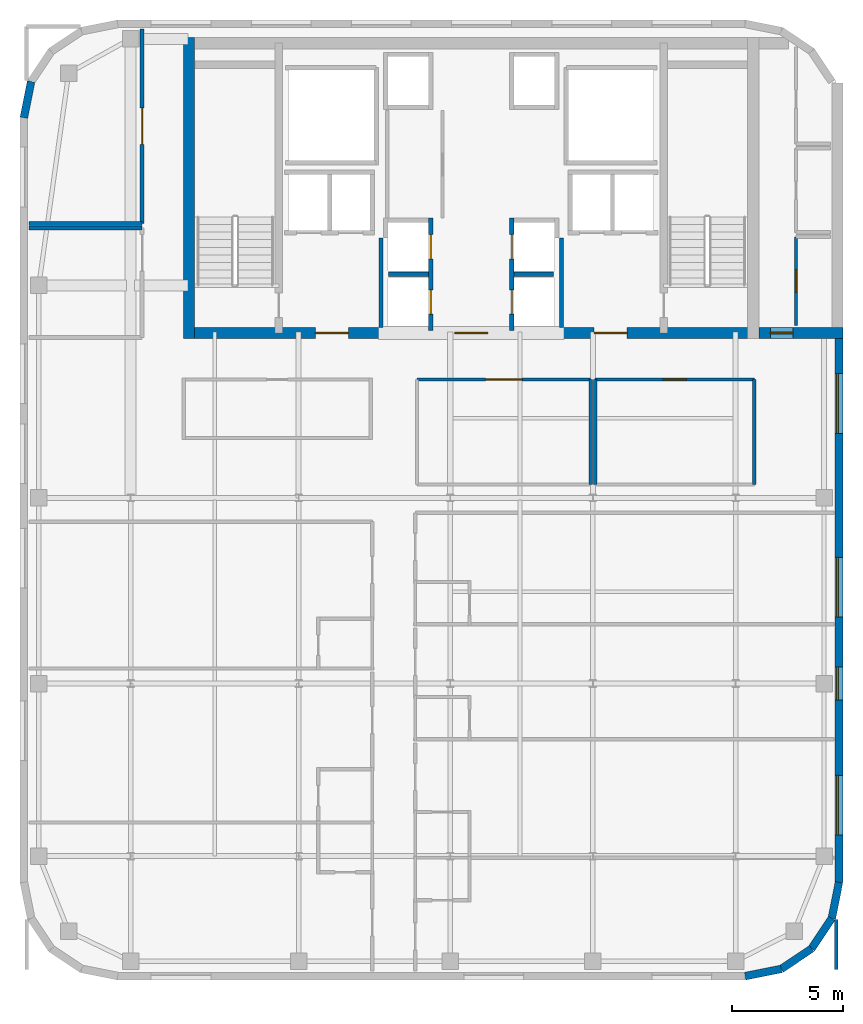
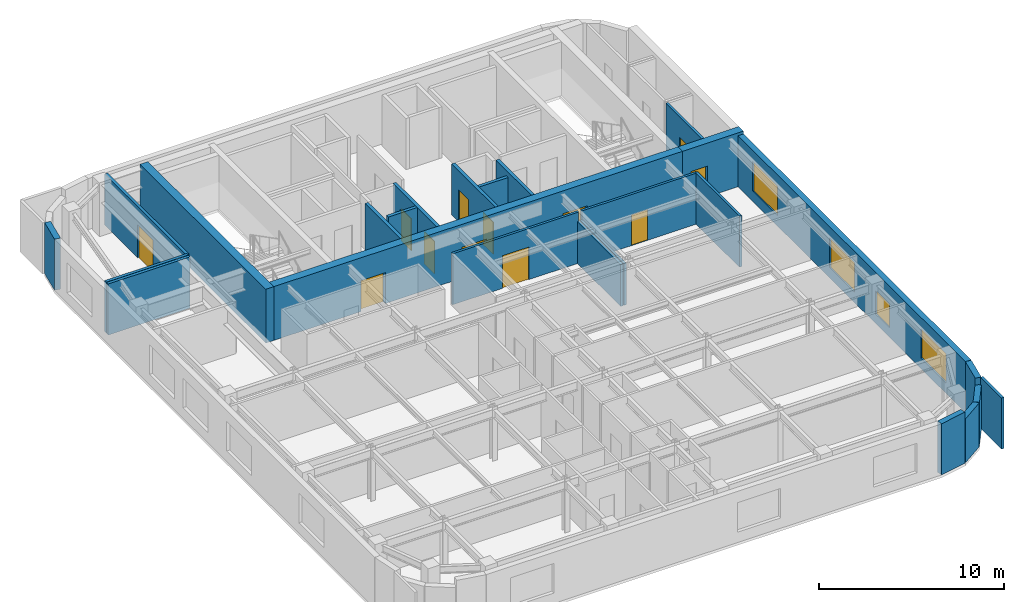
# One storey, part 5 of 8: 25 walls, 12 doors, 4 windows, 16 openings.
"""IFC4 building model written with IfcOpenShell, lengths in metres."""

from ifc_helpers import new_model, si_unit, direction, frame, frame_2d, origin, place, context, subcontext, project, spatial, rectangle, extrude, source, transform, mapped, material, layer, layer_set, type_object, type_shapes, element, fill, save


model = new_model("IFC4")

# Units and contexts
model_context = context("Model", 3, precision=1e-05, world=origin(), true_north=direction((0.0, 1.0)))
body_context = subcontext(model_context, "Body", "Model", "MODEL_VIEW")
ifc_project = project(units=[si_unit("LENGTHUNIT", "METRE"), si_unit("AREAUNIT", "SQUARE_METRE"), si_unit("VOLUMEUNIT", "CUBIC_METRE"), si_unit("PLANEANGLEUNIT", "RADIAN"), si_unit("MASSUNIT", "GRAM", prefix="KILO")], contexts=[model_context])

# Site, building, storey
site_placement = place(None, origin())
site = spatial("IfcSite", under=ifc_project, at=site_placement, CompositionType="ELEMENT")
building_placement = place(site_placement, origin())
building = spatial("IfcBuilding", under=site, at=building_placement, Name="Tolvann Quenvar Hotel", CompositionType="ELEMENT")
storey_placement = place(building_placement, frame((0.0, 0.0, 231.0)))
storey = spatial("IfcBuildingStorey", under=building, at=storey_placement, Name="L61", CompositionType="ELEMENT", Elevation=231.0)

# Wall, openings, doors
ifc_material_1 = material(Name="Concrete N50 (50 MPa)", Category="concrete")
ifc_layer_1 = layer(ifc_material_1, 0.5)
ifc_layer_set_1 = layer_set([ifc_layer_1], Name="Concrete N50 (50 MPa)")
wall_type_1 = type_object("IfcWallType", Name="WALL_CORE_500", PredefinedType="SHEAR", material=ifc_layer_set_1)
wall_1_placement = place(storey_placement, frame((10.0, 31.85009765625, 0.0), z_axis=(0.0, 0.0, 1.0), x_axis=(1.0, 0.0, 0.0)))
wall_1 = element("IfcWall", 1, at=wall_1_placement, inside=storey, type_object=wall_type_1, Name="Rear Core S Shear Wall (L61)", PredefinedType="SHEAR", context=body_context, shape_type="SweptSolid", body=[
    extrude(rectangle(XDim=26.0, YDim=0.5, at=frame_2d((13.0, 0.0))), origin(), (0.0, 0.0, 1.0), 3.550048828125),
])
opening_1_placement = place(wall_1_placement, frame((7.449951171875, 0.0, 0.0), z_axis=(0.0, 0.0, 1.0), x_axis=(-1.0, 0.0, 0.0)))
opening_1 = element("IfcOpeningElement", 2, at=opening_1_placement, cuts=wall_1, Name="Opening FD-60D", PredefinedType="OPENING", context=body_context, shape_type="SweptSolid", body=[
    extrude(rectangle(XDim=1.5, YDim=2.0400390625, at=frame_2d((0.75, 1.02001953125))), frame((0.0, 0.260009765625, 0.0), z_axis=(0.0, -1.0, 0.0), x_axis=(1.0, 0.0, 0.0)), (0.0, 0.0, 1.0), 0.52001953125),
])
opening_2_placement = place(wall_1_placement, frame((13.75, 0.0, 0.0), z_axis=(0.0, 0.0, 1.0), x_axis=(-1.0, 0.0, 0.0)))
opening_2 = element("IfcOpeningElement", 3, at=opening_2_placement, cuts=wall_1, Name="Opening FD-60D", PredefinedType="OPENING", context=body_context, shape_type="SweptSolid", body=[
    extrude(rectangle(XDim=1.5, YDim=2.0400390625, at=frame_2d((0.75, 1.02001953125))), frame((0.0, 0.260009765625, 0.0), z_axis=(0.0, -1.0, 0.0), x_axis=(1.0, 0.0, 0.0)), (0.0, 0.0, 1.0), 0.52001953125),
])
opening_3_placement = place(wall_1_placement, frame((20.050048828125, 0.0, 0.0), z_axis=(0.0, 0.0, 1.0), x_axis=(-1.0, 0.0, 0.0)))
opening_3 = element("IfcOpeningElement", 4, at=opening_3_placement, cuts=wall_1, Name="Opening FD-60D", PredefinedType="OPENING", context=body_context, shape_type="SweptSolid", body=[
    extrude(rectangle(XDim=1.5, YDim=2.0400390625, at=frame_2d((0.75, 1.02001953125))), frame((0.0, 0.260009765625, 0.0), z_axis=(0.0, -1.0, 0.0), x_axis=(1.0, 0.0, 0.0)), (0.0, 0.0, 1.0), 0.52001953125),
])
ifc_material_2 = material(Name="Solid-core American oak acoustic fire door leaf in steel frame", Category="steel")
door_type_1 = type_object("IfcDoorType", Name="DOOR_FIRE_LOBBY_1500", OperationType="NOTDEFINED", PredefinedType="DOOR", material=ifc_material_2)
shared_shape_1 = source(origin(), body_context, "Body", "SweptSolid", [
    extrude(rectangle(XDim=1.5, YDim=2.0400390625, at=frame_2d((0.75, 1.02001953125))), frame((0.0, 0.02490234375, 0.0), z_axis=(0.0, -1.0, 0.0), x_axis=(1.0, 0.0, 0.0)), (0.0, 0.0, 1.0), 0.050048828125),
])
type_shapes(door_type_1, [shared_shape_1])
door_1_placement = place(opening_1_placement, origin())
door_1 = element("IfcDoor", 5, at=door_1_placement, inside=storey, type_object=door_type_1, Name="Core Lobby Fire Door FFW (L61)", OperationType="DOUBLE_DOOR_SINGLE_SWING", OverallHeight=2.0400390625, OverallWidth=1.5, PredefinedType="DOOR", context=body_context, shape_type="MappedRepresentation", body=[
    mapped(shared_shape_1, transform((0.0, 0.0, 0.0), x_axis=(1.0, 0.0, 0.0), y_axis=(0.0, 1.0, 0.0), z_axis=(0.0, 0.0, 1.0), scale=1.0)),
])
fill(opening_1, door_1)
door_2_placement = place(opening_2_placement, origin())
door_2 = element("IfcDoor", 6, at=door_2_placement, inside=storey, type_object=door_type_1, Name="Core Lobby Fire Door CLOB (L61)", OperationType="DOUBLE_DOOR_SINGLE_SWING", OverallHeight=2.0400390625, OverallWidth=1.5, PredefinedType="DOOR", context=body_context, shape_type="MappedRepresentation", body=[
    mapped(shared_shape_1, transform((0.0, 0.0, 0.0), x_axis=(1.0, 0.0, 0.0), y_axis=(0.0, 1.0, 0.0), z_axis=(0.0, 0.0, 1.0), scale=1.0)),
])
fill(opening_2, door_2)
door_3_placement = place(opening_3_placement, origin())
door_3 = element("IfcDoor", 7, at=door_3_placement, inside=storey, type_object=door_type_1, Name="Core Lobby Fire Door FFE (L61)", OperationType="DOUBLE_DOOR_SINGLE_SWING", OverallHeight=2.0400390625, OverallWidth=1.5, PredefinedType="DOOR", context=body_context, shape_type="MappedRepresentation", body=[
    mapped(shared_shape_1, transform((0.0, 0.0, 0.0), x_axis=(1.0, 0.0, 0.0), y_axis=(0.0, 1.0, 0.0), z_axis=(0.0, 0.0, 1.0), scale=1.0)),
])
fill(opening_3, door_3)

# Wall
wall_2_placement = place(storey_placement, frame((10.25, 31.60009765625, 0.0), z_axis=(0.0, 0.0, 1.0), x_axis=(0.0, 1.0, 0.0)))
element("IfcWall", 8, at=wall_2_placement, inside=storey, type_object=wall_type_1, Name="Rear Core W Shear Wall (L61)", PredefinedType="SHEAR", context=body_context, shape_type="SweptSolid", body=[
    extrude(rectangle(XDim=13.599853515625, YDim=0.5, at=frame_2d((6.7998046875, 0.0))), origin(), (0.0, 0.0, 1.0), 3.550048828125),
])

# Wall, opening, door
wall_3_placement = place(storey_placement, frame((36.0, 31.85009765625, 0.0), z_axis=(0.0, 0.0, 1.0), x_axis=(1.0, 0.0, 0.0)))
wall_3 = element("IfcWall", 9, at=wall_3_placement, inside=storey, type_object=wall_type_1, Name="Core East Annex Shear Wall ANN-S (L61)", PredefinedType="SHEAR", context=body_context, shape_type="SweptSolid", body=[
    extrude(rectangle(XDim=3.800048828125, YDim=0.5, at=frame_2d((1.89990234375, 0.0))), origin(), (0.0, 0.0, 1.0), 3.550048828125),
])
opening_4_placement = place(wall_3_placement, frame((1.5400390625, 0.0, 0.0), z_axis=(0.0, 0.0, 1.0), x_axis=(-1.0, 0.0, 0.0)))
opening_4 = element("IfcOpeningElement", 10, at=opening_4_placement, cuts=wall_3, Name="Opening HD-01", PredefinedType="OPENING", context=body_context, shape_type="SweptSolid", body=[
    extrude(rectangle(XDim=1.02001953125, YDim=2.030029296875, at=frame_2d((0.510009765625, 1.01513671875))), frame((0.0, 0.260009765625, 0.0), z_axis=(0.0, -1.0, 0.0), x_axis=(1.0, 0.0, 0.0)), (0.0, 0.0, 1.0), 0.52001953125),
])
ifc_material_3 = material(Name="Pressed galvanised steel fire-rated door set", Category="steel")
door_type_2 = type_object("IfcDoorType", Name="DOOR_BOH_1020", OperationType="NOTDEFINED", PredefinedType="DOOR", material=ifc_material_3)
shared_shape_2 = source(origin(), body_context, "Body", "SweptSolid", [
    extrude(rectangle(XDim=1.02001953125, YDim=2.030029296875, at=frame_2d((0.510009765625, 1.01513671875))), frame((0.0, 0.02490234375, 0.0), z_axis=(0.0, -1.0, 0.0), x_axis=(1.0, 0.0, 0.0)), (0.0, 0.0, 1.0), 0.050048828125),
])
type_shapes(door_type_2, [shared_shape_2])
door_4_placement = place(opening_4_placement, origin())
door_4 = element("IfcDoor", 11, at=door_4_placement, inside=storey, type_object=door_type_2, Name="Housekeeping Annex Fire Door (L61)", OperationType="SINGLE_SWING_RIGHT", OverallHeight=2.030029296875, OverallWidth=1.02001953125, PredefinedType="DOOR", context=body_context, shape_type="MappedRepresentation", body=[
    mapped(shared_shape_2, transform((0.0, 0.0, 0.0), x_axis=(1.0, 0.0, 0.0), y_axis=(0.0, 1.0, 0.0), z_axis=(0.0, 0.0, 1.0), scale=1.0)),
])
fill(opening_4, door_4)

# Walls
ifc_material_4 = material(Name="Kiln-fired red and buff architectural clay brickwork and terracotta masonry", Category="masonry")
ifc_layer_2 = layer(ifc_material_4, 0.35009765625)
ifc_layer_set_2 = layer_set([ifc_layer_2], Name="Kiln-fired red and buff architectural clay brickwork and terracotta masonry")
wall_type_2 = type_object("IfcWallType", Name="WALL_EXT_BRICK_350", PredefinedType="SOLIDWALL", material=ifc_layer_set_2)
wall_4_placement = place(storey_placement, frame((35.3828125, 2.77490234375, 0.0), z_axis=(0.0, 0.0, 1.0), x_axis=(0.980788844421, 0.195072403631, 0.0)))
element("IfcWall", 12, at=wall_4_placement, inside=storey, type_object=wall_type_2, Name="Exterior Chicago Brick Wall L61-E05", PredefinedType="SOLIDWALL", context=body_context, shape_type="SweptSolid", body=[
    extrude(rectangle(XDim=1.66455078125, YDim=0.35009765625, at=frame_2d((0.832275390625, 0.0))), origin(), (0.0, 0.0, 1.0), 3.3701171875),
])
for number, where, z_axis, x_axis, name in (
    (13, (37.015380859375, 3.099609375, 0.0), (0.0, 0.0, 1.0), (0.831434158098, 0.555623290322, 0.0), "Exterior Chicago Brick Wall L61-E06"),
    (14, (38.385009765625, 4.014892578125, 0.0), (0.0, 0.0, 1.0), (0.555623290322, 0.831434158098, 0.0), "Exterior Chicago Brick Wall L61-E07"),
):
    element("IfcWall", number, at=place(storey_placement, frame(where, z_axis=z_axis, x_axis=x_axis)), inside=storey, type_object=wall_type_2, Name=name, PredefinedType="SOLIDWALL", context=body_context, shape_type="SweptSolid", body=[
        extrude(rectangle(XDim=1.647216796875, YDim=0.35009765625, at=frame_2d((0.82373046875, 0.0))), origin(), (0.0, 0.0, 1.0), 2.89990234375),
    ])
wall_5_placement = place(storey_placement, frame((39.30029296875, 5.384521484375, 0.0), z_axis=(0.0, 0.0, 1.0), x_axis=(0.195072403631, 0.980788844421, 0.0)))
element("IfcWall", 15, at=wall_5_placement, inside=storey, type_object=wall_type_2, Name="Exterior Chicago Brick Wall L61-E08", PredefinedType="SOLIDWALL", context=body_context, shape_type="SweptSolid", body=[
    extrude(rectangle(XDim=1.66455078125, YDim=0.35009765625, at=frame_2d((0.832275390625, 0.0))), origin(), (0.0, 0.0, 1.0), 3.3701171875),
])

# Wall, openings, windows
wall_6_placement = place(storey_placement, frame((39.625, 7.01708984375, 0.0), z_axis=(0.0, 0.0, 1.0), x_axis=(0.0, 1.0, 0.0)))
wall_6 = element("IfcWall", 16, at=wall_6_placement, inside=storey, type_object=wall_type_2, Name="Exterior Chicago Brick Wall L61-E09", PredefinedType="SOLIDWALL", context=body_context, shape_type="SweptSolid", body=[
    extrude(rectangle(XDim=24.578857421875, YDim=0.35009765625, at=frame_2d((12.28955078125, 0.0))), origin(), (0.0, 0.0, 1.0), 3.3701171875),
])
opening_5_placement = place(wall_6_placement, frame((2.137939453125, 0.0, 0.679931640625)))
opening_5 = element("IfcOpeningElement", 17, at=opening_5_placement, cuts=wall_6, Name="Opening W-04", PredefinedType="OPENING", context=body_context, shape_type="SweptSolid", body=[
    extrude(rectangle(XDim=2.699951171875, YDim=1.949951171875, at=frame_2d((1.35009765625, 0.97509765625))), frame((0.0, 0.18505859375, 0.0), z_axis=(0.0, -1.0, 0.0), x_axis=(1.0, 0.0, 0.0)), (0.0, 0.0, 1.0), 0.3701171875),
])
opening_6_placement = place(wall_6_placement, frame((11.989013671875, 0.0, 0.679931640625)))
opening_6 = element("IfcOpeningElement", 18, at=opening_6_placement, cuts=wall_6, Name="Opening W-04", PredefinedType="OPENING", context=body_context, shape_type="SweptSolid", body=[
    extrude(rectangle(XDim=2.699951171875, YDim=1.949951171875, at=frame_2d((1.35009765625, 0.97509765625))), frame((0.0, 0.18505859375, 0.0), z_axis=(0.0, -1.0, 0.0), x_axis=(1.0, 0.0, 0.0)), (0.0, 0.0, 1.0), 0.3701171875),
])
opening_7_placement = place(wall_6_placement, frame((20.291015625, 0.0, 0.679931640625)))
opening_7 = element("IfcOpeningElement", 19, at=opening_7_placement, cuts=wall_6, Name="Opening W-04", PredefinedType="OPENING", context=body_context, shape_type="SweptSolid", body=[
    extrude(rectangle(XDim=2.699951171875, YDim=1.949951171875, at=frame_2d((1.35009765625, 0.97509765625))), frame((0.0, 0.18505859375, 0.0), z_axis=(0.0, -1.0, 0.0), x_axis=(1.0, 0.0, 0.0)), (0.0, 0.0, 1.0), 0.3701171875),
])
opening_8_placement = place(wall_6_placement, frame((8.23291015625, 0.0, 0.6201171875)))
opening_8 = element("IfcOpeningElement", 20, at=opening_8_placement, cuts=wall_6, Name="Opening W-08", PredefinedType="OPENING", context=body_context, shape_type="SweptSolid", body=[
    extrude(rectangle(XDim=1.5, YDim=1.550048828125, at=frame_2d((0.75, 0.77490234375))), frame((0.0, 0.18505859375, 0.0), z_axis=(0.0, -1.0, 0.0), x_axis=(1.0, 0.0, 0.0)), (0.0, 0.0, 1.0), 0.3701171875),
])
ifc_material_5 = material(Name="Thermally broken bronze-anodised aluminium frame with double low-E glazing", Category="aluminium")
window_type_1 = type_object("IfcWindowType", Name="WIN_COR_1500x2050", PartitioningType="SINGLE_PANEL", PredefinedType="WINDOW", material=ifc_material_5)
shared_shape_3 = source(origin(), body_context, "Body", "SweptSolid", [
    extrude(rectangle(XDim=1.5, YDim=1.550048828125, at=frame_2d((0.75, 0.77490234375))), frame((0.0, 0.090087890625, 0.0), z_axis=(0.0, -1.0, 0.0), x_axis=(1.0, 0.0, 0.0)), (0.0, 0.0, 1.0), 0.06005859375),
])
type_shapes(window_type_1, [shared_shape_3])
window_1_placement = place(opening_8_placement, origin())
window_1 = element("IfcWindow", 21, at=window_1_placement, inside=storey, type_object=window_type_1, Name="Chicago Window W-08 (EW-L61-E09-WD04)", OverallHeight=1.550048828125, OverallWidth=1.5, PartitioningType="SINGLE_PANEL", PredefinedType="WINDOW", context=body_context, shape_type="MappedRepresentation", body=[
    mapped(shared_shape_3, transform((0.0, 0.0, 0.0), x_axis=(1.0, 0.0, 0.0), y_axis=(0.0, 1.0, 0.0), z_axis=(0.0, 0.0, 1.0), scale=1.0)),
])
fill(opening_8, window_1)
window_type_2 = type_object("IfcWindowType", Name="WIN_STE_2700x2150", PartitioningType="TRIPLE_PANEL_HORIZONTAL", PredefinedType="WINDOW", material=ifc_material_5)
shared_shape_4 = source(origin(), body_context, "Body", "SweptSolid", [
    extrude(rectangle(XDim=2.699951171875, YDim=1.949951171875, at=frame_2d((1.35009765625, 0.97509765625))), frame((0.0, 0.090087890625, 0.0), z_axis=(0.0, -1.0, 0.0), x_axis=(1.0, 0.0, 0.0)), (0.0, 0.0, 1.0), 0.06005859375),
])
type_shapes(window_type_2, [shared_shape_4])
window_2_placement = place(opening_5_placement, origin())
window_2 = element("IfcWindow", 22, at=window_2_placement, inside=storey, type_object=window_type_2, Name="Chicago Window W-04 (EW-L61-E09-W01)", OverallHeight=1.949951171875, OverallWidth=2.699951171875, PartitioningType="TRIPLE_PANEL_HORIZONTAL", PredefinedType="WINDOW", context=body_context, shape_type="MappedRepresentation", body=[
    mapped(shared_shape_4, transform((0.0, 0.0, 0.0), x_axis=(1.0, 0.0, 0.0), y_axis=(0.0, 1.0, 0.0), z_axis=(0.0, 0.0, 1.0), scale=1.0)),
])
fill(opening_5, window_2)
window_3_placement = place(opening_6_placement, origin())
window_3 = element("IfcWindow", 23, at=window_3_placement, inside=storey, type_object=window_type_2, Name="Chicago Window W-04 (EW-L61-E09-W02)", OverallHeight=1.949951171875, OverallWidth=2.699951171875, PartitioningType="TRIPLE_PANEL_HORIZONTAL", PredefinedType="WINDOW", context=body_context, shape_type="MappedRepresentation", body=[
    mapped(shared_shape_4, transform((0.0, 0.0, 0.0), x_axis=(1.0, 0.0, 0.0), y_axis=(0.0, 1.0, 0.0), z_axis=(0.0, 0.0, 1.0), scale=1.0)),
])
fill(opening_6, window_3)
window_4_placement = place(opening_7_placement, origin())
window_4 = element("IfcWindow", 24, at=window_4_placement, inside=storey, type_object=window_type_2, Name="Chicago Window W-04 (EW-L61-E09-W03)", OverallHeight=1.949951171875, OverallWidth=2.699951171875, PartitioningType="TRIPLE_PANEL_HORIZONTAL", PredefinedType="WINDOW", context=body_context, shape_type="MappedRepresentation", body=[
    mapped(shared_shape_4, transform((0.0, 0.0, 0.0), x_axis=(1.0, 0.0, 0.0), y_axis=(0.0, 1.0, 0.0), z_axis=(0.0, 0.0, 1.0), scale=1.0)),
])
fill(opening_7, window_4)

# Walls
wall_7_placement = place(storey_placement, frame((3.099609375, 43.215576171875, 0.0), z_axis=(0.0, 0.0, 1.0), x_axis=(-0.195044345786, -0.980794424524, 0.0)))
element("IfcWall", 25, at=wall_7_placement, inside=storey, type_object=wall_type_2, Name="Exterior Chicago Brick Wall L61-E18", PredefinedType="SOLIDWALL", context=body_context, shape_type="SweptSolid", body=[
    extrude(rectangle(XDim=1.664794921875, YDim=0.35009765625, at=frame_2d((0.83251953125, 0.0))), origin(), (0.0, 0.0, 1.0), 3.3701171875),
])
ifc_material_6 = material(Name="Acoustic twin-stud fire-rated gypsum plasterboard partition")
ifc_layer_3 = layer(ifc_material_6, 0.179931640625)
ifc_layer_set_3 = layer_set([ifc_layer_3], Name="Acoustic twin-stud fire-rated gypsum plasterboard partition")
wall_type_3 = type_object("IfcWallType", Name="WALL_PART_ACOUSTIC_180", PredefinedType="PARTITIONING", material=ifc_layer_set_3)
for number, where, z_axis, x_axis, name in (
    (26, (3.0048828125, 36.60009765625, 0.0), (0.0, 0.0, 1.0), (1.0, 0.0, 0.0), "Interior Partition PT-SPC-L61-SAL-N"),
    (27, (3.0048828125, 36.800048828125, 0.0), (0.0, 0.0, 1.0), (1.0, 0.0, 0.0), "Interior Partition PT-SPC-L61-STD-S"),
):
    element("IfcWall", number, at=place(storey_placement, frame(where, z_axis=z_axis, x_axis=x_axis)), inside=storey, type_object=wall_type_3, Name=name, PredefinedType="PARTITIONING", context=body_context, shape_type="SweptSolid", body=[
        extrude(rectangle(XDim=5.115234375, YDim=0.179931640625, at=frame_2d((2.5576171875, 0.0))), origin(), (0.0, 0.0, 1.0), 3.3701171875),
    ])

# Wall, opening, door
wall_8_placement = place(storey_placement, frame((8.1201171875, 36.800048828125, 0.0), z_axis=(0.0, 0.0, 1.0), x_axis=(0.0, 1.0, 0.0)))
wall_8 = element("IfcWall", 28, at=wall_8_placement, inside=storey, type_object=wall_type_3, Name="Interior Partition PT-SPC-L61-STD-E", PredefinedType="PARTITIONING", context=body_context, shape_type="SweptSolid", body=[
    extrude(rectangle(XDim=8.794921875, YDim=0.179931640625, at=frame_2d((4.3974609375, 0.0))), origin(), (0.0, 0.0, 1.0), 3.3701171875),
])
opening_9_placement = place(wall_8_placement, frame((3.572509765625, 0.0, 0.0)))
opening_9 = element("IfcOpeningElement", 29, at=opening_9_placement, cuts=wall_8, Name="Opening AD-01", PredefinedType="OPENING", context=body_context, shape_type="SweptSolid", body=[
    extrude(rectangle(XDim=1.64990234375, YDim=2.14990234375, at=frame_2d((0.824951171875, 1.074951171875))), frame((0.0, 0.10009765625, 0.0), z_axis=(0.0, -1.0, 0.0), x_axis=(1.0, 0.0, 0.0)), (0.0, 0.0, 1.0), 0.199951171875),
])
door_type_3 = type_object("IfcDoorType", Name="DOOR_SALON_1650", OperationType="NOTDEFINED", PredefinedType="DOOR", material=ifc_material_2)
shared_shape_5 = source(origin(), body_context, "Body", "SweptSolid", [
    extrude(rectangle(XDim=1.64990234375, YDim=2.14990234375, at=frame_2d((0.824951171875, 1.074951171875))), frame((0.0, 0.02490234375, 0.0), z_axis=(0.0, -1.0, 0.0), x_axis=(1.0, 0.0, 0.0)), (0.0, 0.0, 1.0), 0.050048828125),
])
type_shapes(door_type_3, [shared_shape_5])
door_5_placement = place(opening_9_placement, origin())
door_5 = element("IfcDoor", 30, at=door_5_placement, inside=storey, type_object=door_type_3, Name="Interior Door DOOR-SPC-L61-STD", OperationType="DOUBLE_DOOR_SINGLE_SWING", OverallHeight=2.14990234375, OverallWidth=1.64990234375, PredefinedType="DOOR", context=body_context, shape_type="MappedRepresentation", body=[
    mapped(shared_shape_5, transform((0.0, 0.0, 0.0), x_axis=(1.0, 0.0, 0.0), y_axis=(0.0, 1.0, 0.0), z_axis=(0.0, 0.0, 1.0), scale=1.0)),
])
fill(opening_9, door_5)

ifc_layer_4 = layer(ifc_material_6, 0.14990234375)
ifc_layer_set_4 = layer_set([ifc_layer_4], Name="Acoustic twin-stud fire-rated gypsum plasterboard partition")
wall_type_4 = type_object("IfcWallType", Name="WALL_PART_SUITE_150", PredefinedType="PARTITIONING", material=ifc_layer_set_4)
wall_9_placement = place(storey_placement, frame((37.679931640625, 32.199951171875, 0.0), z_axis=(0.0, 0.0, 1.0), x_axis=(0.0, 1.0, 0.0)))
wall_9 = element("IfcWall", 31, at=wall_9_placement, inside=storey, type_object=wall_type_4, Name="Interior Partition PT-SPC-L61-RECPL-1-W", PredefinedType="PARTITIONING", context=body_context, shape_type="SweptSolid", body=[
    extrude(rectangle(XDim=4.0, YDim=0.14990234375, at=frame_2d((2.0, 0.0))), origin(), (0.0, 0.0, 1.0), 3.3701171875),
])
opening_10_placement = place(wall_9_placement, frame((1.489990234375, 0.0, 0.0)))
opening_10 = element("IfcOpeningElement", 32, at=opening_10_placement, cuts=wall_9, Name="Opening HD-01", PredefinedType="OPENING", context=body_context, shape_type="SweptSolid", body=[
    extrude(rectangle(XDim=1.02001953125, YDim=2.030029296875, at=frame_2d((0.510009765625, 1.01513671875))), frame((0.0, 0.0849609375, 0.0), z_axis=(0.0, -1.0, 0.0), x_axis=(1.0, 0.0, 0.0)), (0.0, 0.0, 1.0), 0.169921875),
])
door_6_placement = place(opening_10_placement, origin())
door_6 = element("IfcDoor", 33, at=door_6_placement, inside=storey, type_object=door_type_2, Name="Interior Door DOOR-SPC-L61-RECPL-1", OperationType="SINGLE_SWING_LEFT", OverallHeight=2.030029296875, OverallWidth=1.02001953125, PredefinedType="DOOR", context=body_context, shape_type="MappedRepresentation", body=[
    mapped(shared_shape_2, transform((0.0, 0.0, 0.0), x_axis=(1.0, 0.0, 0.0), y_axis=(0.0, 1.0, 0.0), z_axis=(0.0, 0.0, 1.0), scale=1.0)),
])
fill(opening_10, door_6)

# Wall
wall_10_placement = place(storey_placement, frame((39.5, 3.080078125, 0.0), z_axis=(0.0, 0.0, 1.0), x_axis=(0.0, 1.0, 0.0)))
element("IfcWall", 34, at=wall_10_placement, inside=storey, type_object=wall_type_4, Name="Interior Partition PT-SPC-L61-RM-EO01-E2", PredefinedType="PARTITIONING", context=body_context, shape_type="SweptSolid", body=[
    extrude(rectangle(XDim=2.264892578125, YDim=0.14990234375, at=frame_2d((1.13232421875, 0.0))), origin(), (0.0, 0.0, 1.0), 3.3701171875),
])

# Wall, opening, door
wall_11_placement = place(storey_placement, frame((20.550048828125, 29.75, 0.0), z_axis=(0.0, 0.0, 1.0), x_axis=(1.0, 0.0, 0.0)))
wall_11 = element("IfcWall", 35, at=wall_11_placement, inside=storey, type_object=wall_type_4, Name="Interior Partition PT-SPC-L61-LOUNGE-N", PredefinedType="PARTITIONING", context=body_context, shape_type="SweptSolid", body=[
    extrude(rectangle(XDim=7.849853515625, YDim=0.14990234375, at=frame_2d((3.9248046875, 0.0))), origin(), (0.0, 0.0, 1.0), 3.3701171875),
])
opening_11_placement = place(wall_11_placement, frame((3.10009765625, 0.0, 0.0)))
opening_11 = element("IfcOpeningElement", 36, at=opening_11_placement, cuts=wall_11, Name="Opening AD-01", PredefinedType="OPENING", context=body_context, shape_type="SweptSolid", body=[
    extrude(rectangle(XDim=1.64990234375, YDim=2.14990234375, at=frame_2d((0.824951171875, 1.074951171875))), frame((0.0, 0.0849609375, 0.0), z_axis=(0.0, -1.0, 0.0), x_axis=(1.0, 0.0, 0.0)), (0.0, 0.0, 1.0), 0.169921875),
])
door_7_placement = place(opening_11_placement, origin())
door_7 = element("IfcDoor", 37, at=door_7_placement, inside=storey, type_object=door_type_3, Name="Interior Door DOOR-SPC-L61-LOUNGE", OperationType="DOUBLE_DOOR_SINGLE_SWING", OverallHeight=2.14990234375, OverallWidth=1.64990234375, PredefinedType="DOOR", context=body_context, shape_type="MappedRepresentation", body=[
    mapped(shared_shape_5, transform((0.0, 0.0, 0.0), x_axis=(1.0, 0.0, 0.0), y_axis=(0.0, 1.0, 0.0), z_axis=(0.0, 0.0, 1.0), scale=1.0)),
])
fill(opening_11, door_7)

# Wall
wall_12_placement = place(storey_placement, frame((28.39990234375, 25.0, 0.0), z_axis=(0.0, 0.0, 1.0), x_axis=(0.0, 1.0, 0.0)))
element("IfcWall", 38, at=wall_12_placement, inside=storey, type_object=wall_type_4, Name="Interior Partition PT-SPC-L61-LOUNGE-E", PredefinedType="PARTITIONING", context=body_context, shape_type="SweptSolid", body=[
    extrude(rectangle(XDim=4.75, YDim=0.14990234375, at=frame_2d((2.375, 0.0))), origin(), (0.0, 0.0, 1.0), 2.758056640625),
])

# Wall, opening, door
wall_13_placement = place(storey_placement, frame((28.60009765625, 29.75, 0.0), z_axis=(0.0, 0.0, 1.0), x_axis=(1.0, 0.0, 0.0)))
wall_13 = element("IfcWall", 39, at=wall_13_placement, inside=storey, type_object=wall_type_4, Name="Interior Partition PT-SPC-L61-PNTR-N", PredefinedType="PARTITIONING", context=body_context, shape_type="SweptSolid", body=[
    extrude(rectangle(XDim=7.199951171875, YDim=0.14990234375, at=frame_2d((3.60009765625, 0.0))), origin(), (0.0, 0.0, 1.0), 3.3701171875),
])
opening_12_placement = place(wall_13_placement, frame((3.090087890625, 0.0, 0.0)))
opening_12 = element("IfcOpeningElement", 40, at=opening_12_placement, cuts=wall_13, Name="Opening HD-01", PredefinedType="OPENING", context=body_context, shape_type="SweptSolid", body=[
    extrude(rectangle(XDim=1.02001953125, YDim=2.030029296875, at=frame_2d((0.510009765625, 1.01513671875))), frame((0.0, 0.0849609375, 0.0), z_axis=(0.0, -1.0, 0.0), x_axis=(1.0, 0.0, 0.0)), (0.0, 0.0, 1.0), 0.169921875),
])
door_8_placement = place(opening_12_placement, origin())
door_8 = element("IfcDoor", 41, at=door_8_placement, inside=storey, type_object=door_type_2, Name="Interior Door DOOR-SPC-L61-PNTR", OperationType="SINGLE_SWING_RIGHT", OverallHeight=2.030029296875, OverallWidth=1.02001953125, PredefinedType="DOOR", context=body_context, shape_type="MappedRepresentation", body=[
    mapped(shared_shape_2, transform((0.0, 0.0, 0.0), x_axis=(1.0, 0.0, 0.0), y_axis=(0.0, 1.0, 0.0), z_axis=(0.0, 0.0, 1.0), scale=1.0)),
])
fill(opening_12, door_8)

# Walls
wall_14_placement = place(storey_placement, frame((28.60009765625, 25.0, 0.0), z_axis=(0.0, 0.0, 1.0), x_axis=(0.0, 1.0, 0.0)))
element("IfcWall", 42, at=wall_14_placement, inside=storey, type_object=wall_type_4, Name="Interior Partition PT-SPC-L61-PNTR-W", PredefinedType="PARTITIONING", context=body_context, shape_type="SweptSolid", body=[
    extrude(rectangle(XDim=4.75, YDim=0.14990234375, at=frame_2d((2.375, 0.0))), origin(), (0.0, 0.0, 1.0), 2.758056640625),
])
wall_15_placement = place(storey_placement, frame((35.800048828125, 25.0, 0.0), z_axis=(0.0, 0.0, 1.0), x_axis=(0.0, 1.0, 0.0)))
element("IfcWall", 43, at=wall_15_placement, inside=storey, type_object=wall_type_4, Name="Interior Partition PT-SPC-L61-PNTR-E", PredefinedType="PARTITIONING", context=body_context, shape_type="SweptSolid", body=[
    extrude(rectangle(XDim=4.75, YDim=0.14990234375, at=frame_2d((2.375, 0.0))), origin(), (0.0, 0.0, 1.0), 3.3701171875),
])
ifc_material_7 = material(Name="Concrete N40 (40 MPa)", Category="concrete")
ifc_layer_5 = layer(ifc_material_7, 0.199951171875)
ifc_layer_set_5 = layer_set([ifc_layer_5], Name="Concrete N40 (40 MPa)")
wall_type_5 = type_object("IfcWallType", Name="WALL_SHAFT_200", PredefinedType="SOLIDWALL", material=ifc_layer_set_5)
for number, where, z_axis, x_axis, name in (
    (44, (18.919921875, 32.10400390625, 0.0), (0.0, 0.0, 1.0), (0.0, 1.0, 0.0), "Firefighting Lobby W Inner Fire Wall (L61)"),
    (45, (27.080078125, 32.10400390625, 0.0), (0.0, 0.0, 1.0), (0.0, 1.0, 0.0), "Firefighting Lobby E Inner Fire Wall (L61)"),
):
    element("IfcWall", number, at=place(storey_placement, frame(where, z_axis=z_axis, x_axis=x_axis)), inside=storey, type_object=wall_type_5, Name=name, PredefinedType="SOLIDWALL", context=body_context, shape_type="SweptSolid", body=[
        extrude(rectangle(XDim=4.0458984375, YDim=0.199951171875, at=frame_2d((2.02294921875, 0.0))), origin(), (0.0, 0.0, 1.0), 3.3701171875),
    ])

# Wall, openings, doors
wall_16_placement = place(storey_placement, frame((21.169921875, 31.9599609375, 0.0), z_axis=(0.0, 0.0, 1.0), x_axis=(0.0, 1.0, 0.0)))
wall_16 = element("IfcWall", 46, at=wall_16_placement, inside=storey, type_object=wall_type_5, Name="Lift Bank E21.1C1 Hoistway Front Wall (L61)", PredefinedType="SOLIDWALL", context=body_context, shape_type="SweptSolid", body=[
    extrude(rectangle(XDim=5.080078125, YDim=0.199951171875, at=frame_2d((2.5400390625, 0.0))), origin(), (0.0, 0.0, 1.0), 3.3701171875),
])
opening_13_placement = place(wall_16_placement, frame((0.739990234375, 0.0, 0.0)))
opening_13 = element("IfcOpeningElement", 47, at=opening_13_placement, cuts=wall_16, Name="Opening LD-01", PredefinedType="OPENING", context=body_context, shape_type="SweptSolid", body=[
    extrude(rectangle(XDim=1.10009765625, YDim=2.1201171875, at=frame_2d((0.550048828125, 1.06005859375))), frame((0.0, 0.10986328125, 0.0), z_axis=(0.0, -1.0, 0.0), x_axis=(1.0, 0.0, 0.0)), (0.0, 0.0, 1.0), 0.219970703125),
])
opening_14_placement = place(wall_16_placement, frame((3.239990234375, 0.0, 0.0)))
opening_14 = element("IfcOpeningElement", 48, at=opening_14_placement, cuts=wall_16, Name="Opening LD-01", PredefinedType="OPENING", context=body_context, shape_type="SweptSolid", body=[
    extrude(rectangle(XDim=1.10009765625, YDim=2.1201171875, at=frame_2d((0.550048828125, 1.06005859375))), frame((0.0, 0.10986328125, 0.0), z_axis=(0.0, -1.0, 0.0), x_axis=(1.0, 0.0, 0.0)), (0.0, 0.0, 1.0), 0.219970703125),
])
ifc_material_8 = material(Name="Brushed 316 stainless steel automatic sliding lift landing door", Category="steel")
door_type_4 = type_object("IfcDoorType", Name="DOOR_LIFT_SLIDE_1100", OperationType="NOTDEFINED", PredefinedType="DOOR", material=ifc_material_8)
shared_shape_6 = source(origin(), body_context, "Body", "SweptSolid", [
    extrude(rectangle(XDim=1.10009765625, YDim=2.1201171875, at=frame_2d((0.550048828125, 1.06005859375))), frame((0.0, 0.02490234375, 0.0), z_axis=(0.0, -1.0, 0.0), x_axis=(1.0, 0.0, 0.0)), (0.0, 0.0, 1.0), 0.050048828125),
])
type_shapes(door_type_4, [shared_shape_6])
door_9_placement = place(opening_13_placement, origin())
door_9 = element("IfcDoor", 49, at=door_9_placement, inside=storey, type_object=door_type_4, Name="Lift PH-1 Sliding Landing Door (L61)", OperationType="SLIDING_TO_LEFT", OverallHeight=2.1201171875, OverallWidth=1.10009765625, PredefinedType="DOOR", context=body_context, shape_type="MappedRepresentation", body=[
    mapped(shared_shape_6, transform((0.0, 0.0, 0.0), x_axis=(1.0, 0.0, 0.0), y_axis=(0.0, 1.0, 0.0), z_axis=(0.0, 0.0, 1.0), scale=1.0)),
])
fill(opening_13, door_9)
door_10_placement = place(opening_14_placement, origin())
door_10 = element("IfcDoor", 50, at=door_10_placement, inside=storey, type_object=door_type_4, Name="Lift PH-2 Sliding Landing Door (L61)", OperationType="SLIDING_TO_RIGHT", OverallHeight=2.1201171875, OverallWidth=1.10009765625, PredefinedType="DOOR", context=body_context, shape_type="MappedRepresentation", body=[
    mapped(shared_shape_6, transform((0.0, 0.0, 0.0), x_axis=(1.0, 0.0, 0.0), y_axis=(0.0, 1.0, 0.0), z_axis=(0.0, 0.0, 1.0), scale=1.0)),
])
fill(opening_14, door_10)

# Wall
wall_17_placement = place(storey_placement, frame((19.27001953125, 34.5, 0.0), z_axis=(0.0, 0.0, 1.0), x_axis=(1.0, 0.0, 0.0)))
element("IfcWall", 51, at=wall_17_placement, inside=storey, type_object=wall_type_5, Name="Lift Bank E21.1C1 Divider Wall 1 (L61)", PredefinedType="SOLIDWALL", context=body_context, shape_type="SweptSolid", body=[
    extrude(rectangle(XDim=1.800048828125, YDim=0.199951171875, at=frame_2d((0.89990234375, 0.0))), origin(), (0.0, 0.0, 1.0), 3.3701171875),
])

# Wall, openings, doors
wall_18_placement = place(storey_placement, frame((24.830078125, 31.9599609375, 0.0), z_axis=(0.0, 0.0, 1.0), x_axis=(0.0, 1.0, 0.0)))
wall_18 = element("IfcWall", 52, at=wall_18_placement, inside=storey, type_object=wall_type_5, Name="Lift Bank W24.9C1 Hoistway Front Wall (L61)", PredefinedType="SOLIDWALL", context=body_context, shape_type="SweptSolid", body=[
    extrude(rectangle(XDim=5.080078125, YDim=0.199951171875, at=frame_2d((2.5400390625, 0.0))), origin(), (0.0, 0.0, 1.0), 3.3701171875),
])
opening_15_placement = place(wall_18_placement, frame((0.739990234375, 0.0, 0.0)))
opening_15 = element("IfcOpeningElement", 53, at=opening_15_placement, cuts=wall_18, Name="Opening LD-01", PredefinedType="OPENING", context=body_context, shape_type="SweptSolid", body=[
    extrude(rectangle(XDim=1.10009765625, YDim=2.1201171875, at=frame_2d((0.550048828125, 1.06005859375))), frame((0.0, 0.10986328125, 0.0), z_axis=(0.0, -1.0, 0.0), x_axis=(1.0, 0.0, 0.0)), (0.0, 0.0, 1.0), 0.219970703125),
])
opening_16_placement = place(wall_18_placement, frame((3.239990234375, 0.0, 0.0)))
opening_16 = element("IfcOpeningElement", 54, at=opening_16_placement, cuts=wall_18, Name="Opening LD-01", PredefinedType="OPENING", context=body_context, shape_type="SweptSolid", body=[
    extrude(rectangle(XDim=1.10009765625, YDim=2.1201171875, at=frame_2d((0.550048828125, 1.06005859375))), frame((0.0, 0.10986328125, 0.0), z_axis=(0.0, -1.0, 0.0), x_axis=(1.0, 0.0, 0.0)), (0.0, 0.0, 1.0), 0.219970703125),
])
door_11_placement = place(opening_15_placement, origin())
door_11 = element("IfcDoor", 55, at=door_11_placement, inside=storey, type_object=door_type_4, Name="Lift PH-3 Sliding Landing Door (L61)", OperationType="SLIDING_TO_LEFT", OverallHeight=2.1201171875, OverallWidth=1.10009765625, PredefinedType="DOOR", context=body_context, shape_type="MappedRepresentation", body=[
    mapped(shared_shape_6, transform((0.0, 0.0, 0.0), x_axis=(1.0, 0.0, 0.0), y_axis=(0.0, 1.0, 0.0), z_axis=(0.0, 0.0, 1.0), scale=1.0)),
])
fill(opening_15, door_11)
door_12_placement = place(opening_16_placement, origin())
door_12 = element("IfcDoor", 56, at=door_12_placement, inside=storey, type_object=door_type_4, Name="Lift PH-4 Sliding Landing Door (L61)", OperationType="SLIDING_TO_RIGHT", OverallHeight=2.1201171875, OverallWidth=1.10009765625, PredefinedType="DOOR", context=body_context, shape_type="MappedRepresentation", body=[
    mapped(shared_shape_6, transform((0.0, 0.0, 0.0), x_axis=(1.0, 0.0, 0.0), y_axis=(0.0, 1.0, 0.0), z_axis=(0.0, 0.0, 1.0), scale=1.0)),
])
fill(opening_16, door_12)

# Wall
wall_19_placement = place(storey_placement, frame((24.929931640625, 34.5, 0.0), z_axis=(0.0, 0.0, 1.0), x_axis=(1.0, 0.0, 0.0)))
element("IfcWall", 57, at=wall_19_placement, inside=storey, type_object=wall_type_5, Name="Lift Bank W24.9C1 Divider Wall 1 (L61)", PredefinedType="SOLIDWALL", context=body_context, shape_type="SweptSolid", body=[
    extrude(rectangle(XDim=1.800048828125, YDim=0.199951171875, at=frame_2d((0.89990234375, 0.0))), origin(), (0.0, 0.0, 1.0), 3.3701171875),
])

save(model, "model.ifc")
